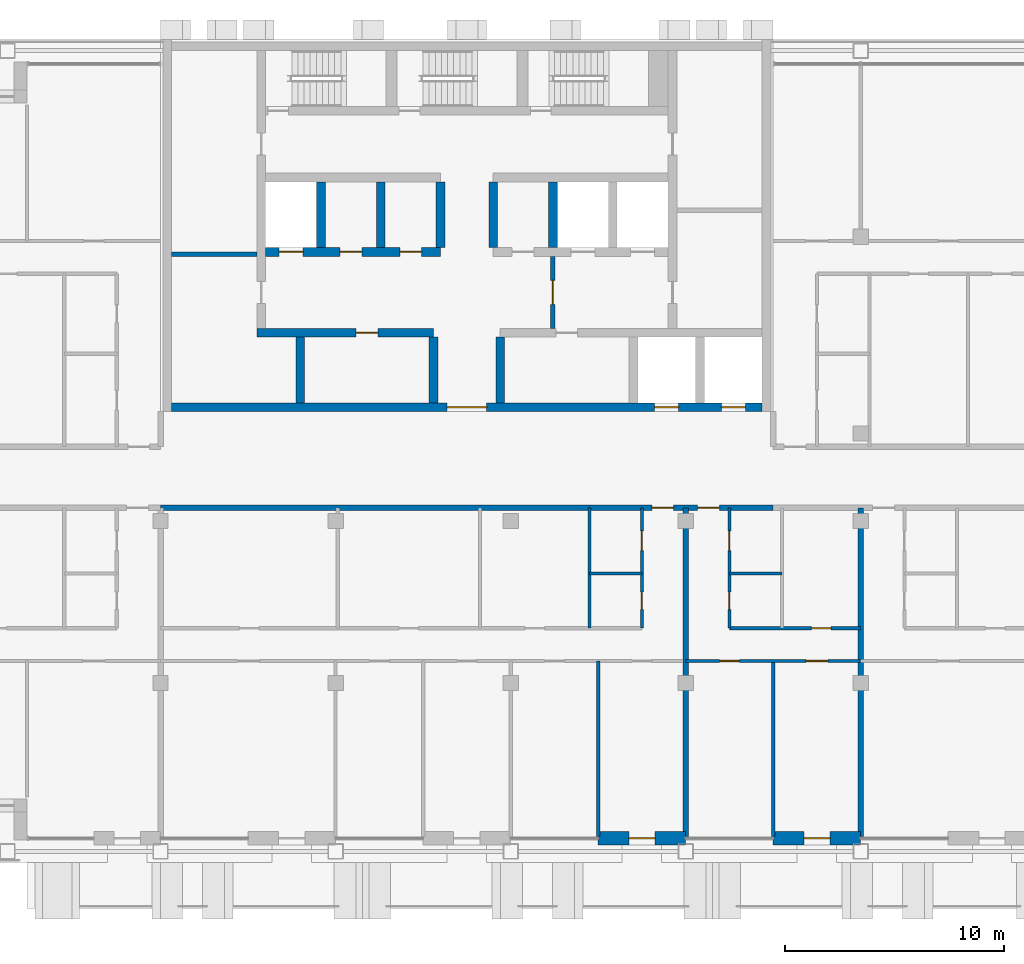
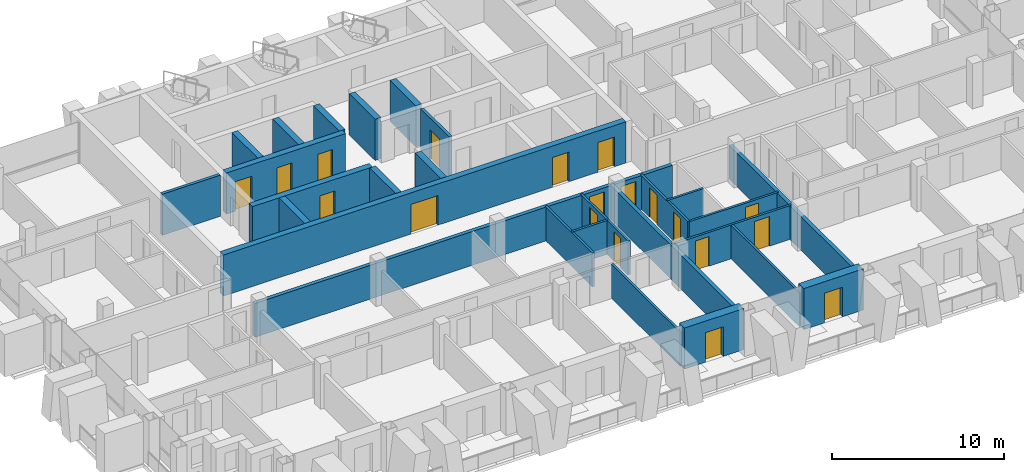
# One storey, part 9 of 16: 27 walls, 19 doors, 19 openings.
"""IFC4 building model written with IfcOpenShell, lengths in metres."""

from ifc_helpers import new_model, si_unit, direction, frame, frame_2d, origin, place, context, subcontext, project, spatial, rectangle, extrude, material, layer, layer_set, type_object, element, fill, save


model = new_model("IFC4")

# Units and contexts
model_context = context("Model", 3, precision=1e-05, world=origin(), true_north=direction((0.0, 1.0)))
body_context = subcontext(model_context, "Body", "Model", "MODEL_VIEW")
ifc_project = project(units=[si_unit("LENGTHUNIT", "METRE"), si_unit("AREAUNIT", "SQUARE_METRE"), si_unit("VOLUMEUNIT", "CUBIC_METRE"), si_unit("PLANEANGLEUNIT", "RADIAN"), si_unit("MASSUNIT", "GRAM", prefix="KILO")], contexts=[model_context])

# Site, building, storey
site_placement = place(None, origin())
site = spatial("IfcSite", under=ifc_project, at=site_placement, CompositionType="ELEMENT")
building_placement = place(site_placement, origin())
building = spatial("IfcBuilding", under=site, at=building_placement, Name="Vidyagriha Tower", CompositionType="ELEMENT")
storey_placement = place(building_placement, frame((0.0, 0.0, 184.5)))
storey = spatial("IfcBuildingStorey", under=building, at=storey_placement, Name="L48", CompositionType="ELEMENT", Elevation=184.5)

# Wall, opening, door
ifc_material_1 = material(Name="Precast concrete C40/50 with brick facing", Category="concrete")
ifc_layer_1 = layer(ifc_material_1, 0.60009765625)
ifc_layer_set_1 = layer_set([ifc_layer_1], Name="Precast concrete C40/50 with brick facing")
wall_type_1 = type_object("IfcWallType", Name="Brick-faced precast wall 600", PredefinedType="STANDARD", material=ifc_layer_set_1)
wall_1_placement = place(storey_placement, frame((6.0, -16.5, 0.0)))
wall_1 = element("IfcWall", 1, at=wall_1_placement, inside=storey, type_object=wall_type_1, Name="Brick door bay wall L48 R23.8", PredefinedType="STANDARD", context=body_context, shape_type="SweptSolid", body=[
    extrude(rectangle(XDim=4.0, YDim=0.60009765625, at=frame_2d((2.0, 0.0))), origin(), (0.0, 0.0, 1.0), 2.919921875),
])
opening_1_placement = place(wall_1_placement, frame((1.39990234375, 0.0, 0.0)))
opening_1 = element("IfcOpeningElement", 2, at=opening_1_placement, cuts=wall_1, Name="Opening D48-72", PredefinedType="OPENING", context=body_context, shape_type="SweptSolid", body=[
    extrude(rectangle(XDim=1.199951171875, YDim=2.10009765625, at=frame_2d((0.60009765625, 1.050048828125))), frame((0.0, 0.31005859375, 0.0), z_axis=(0.0, -1.0, 0.0), x_axis=(1.0, 0.0, 0.0)), (0.0, 0.0, 1.0), 0.6201171875),
])
ifc_material_2 = material(Name="Aluminium framed glazed sliding door", Category="aluminium")
door_type_1 = type_object("IfcDoorType", Name="Balcony sliding door 1200x2100", OperationType="NOTDEFINED", PredefinedType="DOOR", material=ifc_material_2)
door_1_placement = place(opening_1_placement, origin())
door_1 = element("IfcDoor", 3, at=door_1_placement, inside=storey, type_object=door_type_1, Name="Door D48-72", OperationType="SLIDING_TO_LEFT", OverallHeight=2.10009765625, OverallWidth=1.199951171875, PredefinedType="DOOR", context=body_context, shape_type="SweptSolid", body=[
    extrude(rectangle(XDim=1.199951171875, YDim=2.10009765625, at=frame_2d((0.60009765625, 1.050048828125))), frame((0.0, 0.02490234375, 0.0), z_axis=(0.0, -1.0, 0.0), x_axis=(1.0, 0.0, 0.0)), (0.0, 0.0, 1.0), 0.050048828125),
])
fill(opening_1, door_1)

wall_2_placement = place(storey_placement, frame((14.0, -16.5, 0.0)))
wall_2 = element("IfcWall", 4, at=wall_2_placement, inside=storey, type_object=wall_type_1, Name="Brick door bay wall L48 R23.10", PredefinedType="STANDARD", context=body_context, shape_type="SweptSolid", body=[
    extrude(rectangle(XDim=4.0, YDim=0.60009765625, at=frame_2d((2.0, 0.0))), origin(), (0.0, 0.0, 1.0), 2.919921875),
])
opening_2_placement = place(wall_2_placement, frame((1.39990234375, 0.0, 0.0)))
opening_2 = element("IfcOpeningElement", 5, at=opening_2_placement, cuts=wall_2, Name="Opening D48-73", PredefinedType="OPENING", context=body_context, shape_type="SweptSolid", body=[
    extrude(rectangle(XDim=1.199951171875, YDim=2.10009765625, at=frame_2d((0.60009765625, 1.050048828125))), frame((0.0, 0.31005859375, 0.0), z_axis=(0.0, -1.0, 0.0), x_axis=(1.0, 0.0, 0.0)), (0.0, 0.0, 1.0), 0.6201171875),
])
door_2_placement = place(opening_2_placement, origin())
door_2 = element("IfcDoor", 6, at=door_2_placement, inside=storey, type_object=door_type_1, Name="Door D48-73", OperationType="SLIDING_TO_LEFT", OverallHeight=2.10009765625, OverallWidth=1.199951171875, PredefinedType="DOOR", context=body_context, shape_type="SweptSolid", body=[
    extrude(rectangle(XDim=1.199951171875, YDim=2.10009765625, at=frame_2d((0.60009765625, 1.050048828125))), frame((0.0, 0.02490234375, 0.0), z_axis=(0.0, -1.0, 0.0), x_axis=(1.0, 0.0, 0.0)), (0.0, 0.0, 1.0), 0.050048828125),
])
fill(opening_2, door_2)

# Wall, openings, doors
ifc_material_3 = material(Name="Concrete C60/75", Category="concrete")
ifc_layer_2 = layer(ifc_material_3, 0.39990234375)
ifc_layer_set_2 = layer_set([ifc_layer_2], Name="Concrete C60/75")
wall_type_2 = type_object("IfcWallType", Name="Core shear wall 400 mm", PredefinedType="SHEAR", material=ifc_layer_set_2)
wall_3_placement = place(storey_placement, frame((-13.5, 3.199951171875, 0.0)))
wall_3 = element("IfcWall", 7, at=wall_3_placement, inside=storey, type_object=wall_type_2, Name="Core front wall", PredefinedType="SHEAR", context=body_context, shape_type="SweptSolid", body=[
    extrude(rectangle(XDim=27.0, YDim=0.39990234375, at=frame_2d((13.5, 0.0))), origin(), (0.0, 0.0, 1.0), 2.919921875),
])
opening_3_placement = place(wall_3_placement, frame((22.083251953125, 0.0, 0.0)))
opening_3 = element("IfcOpeningElement", 8, at=opening_3_placement, cuts=wall_3, Name="Opening LD48-01", PredefinedType="OPENING", context=body_context, shape_type="SweptSolid", body=[
    extrude(rectangle(XDim=1.10009765625, YDim=2.10009765625, at=frame_2d((0.550048828125, 1.050048828125))), frame((0.0, 0.2099609375, 0.0), z_axis=(0.0, -1.0, 0.0), x_axis=(1.0, 0.0, 0.0)), (0.0, 0.0, 1.0), 0.419921875),
])
opening_4_placement = place(wall_3_placement, frame((25.127685546875, 0.0, 0.0)))
opening_4 = element("IfcOpeningElement", 9, at=opening_4_placement, cuts=wall_3, Name="Opening LD48-02", PredefinedType="OPENING", context=body_context, shape_type="SweptSolid", body=[
    extrude(rectangle(XDim=1.10009765625, YDim=2.10009765625, at=frame_2d((0.550048828125, 1.050048828125))), frame((0.0, 0.2099609375, 0.0), z_axis=(0.0, -1.0, 0.0), x_axis=(1.0, 0.0, 0.0)), (0.0, 0.0, 1.0), 0.419921875),
])
opening_5_placement = place(wall_3_placement, frame((12.60009765625, 0.0, 0.0)))
opening_5 = element("IfcOpeningElement", 10, at=opening_5_placement, cuts=wall_3, Name="Opening D48-01", PredefinedType="OPENING", context=body_context, shape_type="SweptSolid", body=[
    extrude(rectangle(XDim=1.800048828125, YDim=2.10009765625, at=frame_2d((0.89990234375, 1.050048828125))), frame((0.0, 0.2099609375, 0.0), z_axis=(0.0, -1.0, 0.0), x_axis=(1.0, 0.0, 0.0)), (0.0, 0.0, 1.0), 0.419921875),
])
ifc_material_4 = material(Name="Hollow metal door leaf")
door_type_2 = type_object("IfcDoorType", Name="Core lobby double door 1800 x 2100 mm EI 60", OperationType="NOTDEFINED", PredefinedType="DOOR", material=ifc_material_4)
door_3_placement = place(opening_5_placement, frame((1.800048828125, 0.0, 0.0), z_axis=(0.0, 0.0, 1.0), x_axis=(-1.0, 0.0, 0.0)))
door_3 = element("IfcDoor", 11, at=door_3_placement, inside=storey, type_object=door_type_2, Name="Core entrance door L48", OperationType="DOUBLE_DOOR_SINGLE_SWING", OverallHeight=2.10009765625, OverallWidth=1.800048828125, PredefinedType="DOOR", context=body_context, shape_type="SweptSolid", body=[
    extrude(rectangle(XDim=1.800048828125, YDim=2.10009765625, at=frame_2d((0.89990234375, 1.050048828125))), frame((0.0, 0.02490234375, 0.0), z_axis=(0.0, -1.0, 0.0), x_axis=(1.0, 0.0, 0.0)), (0.0, 0.0, 1.0), 0.050048828125),
])
fill(opening_5, door_3)
ifc_material_5 = material(Name="Stainless steel sliding door panel", Category="steel")
door_type_3 = type_object("IfcDoorType", Name="Lift landing door 1100 x 2100 mm EI 90", OperationType="NOTDEFINED", PredefinedType="DOOR", material=ifc_material_5)
door_4_placement = place(opening_3_placement, origin())
door_4 = element("IfcDoor", 12, at=door_4_placement, inside=storey, type_object=door_type_3, Name="Landing door MR1 L48", OperationType="SLIDING_TO_LEFT", OverallHeight=2.10009765625, OverallWidth=1.10009765625, PredefinedType="DOOR", context=body_context, shape_type="SweptSolid", body=[
    extrude(rectangle(XDim=1.10009765625, YDim=2.10009765625, at=frame_2d((0.550048828125, 1.050048828125))), frame((0.0, 0.02490234375, 0.0), z_axis=(0.0, -1.0, 0.0), x_axis=(1.0, 0.0, 0.0)), (0.0, 0.0, 1.0), 0.050048828125),
])
fill(opening_3, door_4)
door_5_placement = place(opening_4_placement, origin())
door_5 = element("IfcDoor", 13, at=door_5_placement, inside=storey, type_object=door_type_3, Name="Landing door MR2 L48", OperationType="SLIDING_TO_LEFT", OverallHeight=2.10009765625, OverallWidth=1.10009765625, PredefinedType="DOOR", context=body_context, shape_type="SweptSolid", body=[
    extrude(rectangle(XDim=1.10009765625, YDim=2.10009765625, at=frame_2d((0.550048828125, 1.050048828125))), frame((0.0, 0.02490234375, 0.0), z_axis=(0.0, -1.0, 0.0), x_axis=(1.0, 0.0, 0.0)), (0.0, 0.0, 1.0), 0.050048828125),
])
fill(opening_4, door_5)

# Wall, opening, door
wall_4_placement = place(storey_placement, frame((-9.60009765625, 6.60009765625, 0.0)))
wall_4 = element("IfcWall", 14, at=wall_4_placement, inside=storey, type_object=wall_type_2, Name="Core lobby south wall west", PredefinedType="SHEAR", context=body_context, shape_type="SweptSolid", body=[
    extrude(rectangle(XDim=8.077880859375, YDim=0.39990234375, at=frame_2d((4.0390625, 0.0))), origin(), (0.0, 0.0, 1.0), 2.919921875),
])
opening_6_placement = place(wall_4_placement, frame((4.533203125, 0.0, 0.0)))
opening_6 = element("IfcOpeningElement", 15, at=opening_6_placement, cuts=wall_4, Name="Opening D48-02", PredefinedType="OPENING", context=body_context, shape_type="SweptSolid", body=[
    extrude(rectangle(XDim=1.0, YDim=2.10009765625, at=frame_2d((0.5, 1.050048828125))), frame((0.0, 0.2099609375, 0.0), z_axis=(0.0, -1.0, 0.0), x_axis=(1.0, 0.0, 0.0)), (0.0, 0.0, 1.0), 0.419921875),
])
ifc_material_6 = material(Name="Hollow metal door leaf")
door_type_4 = type_object("IfcDoorType", Name="Core room door 1000 x 2100 mm EI 60", OperationType="NOTDEFINED", PredefinedType="DOOR", material=ifc_material_6)
door_6_placement = place(opening_6_placement, origin())
door_6 = element("IfcDoor", 16, at=door_6_placement, inside=storey, type_object=door_type_4, Name="Door Pressurisation Plant Room 48.01", OperationType="SINGLE_SWING_RIGHT", OverallHeight=2.10009765625, OverallWidth=1.0, PredefinedType="DOOR", context=body_context, shape_type="SweptSolid", body=[
    extrude(rectangle(XDim=1.0, YDim=2.10009765625, at=frame_2d((0.5, 1.050048828125))), frame((0.0, 0.02490234375, 0.0), z_axis=(0.0, -1.0, 0.0), x_axis=(1.0, 0.0, 0.0)), (0.0, 0.0, 1.0), 0.050048828125),
])
fill(opening_6, door_6)

# Walls
for number, where, z_axis, x_axis, name in (
    (17, (-7.611083984375, 3.39990234375, 0.0), (0.0, 0.0, 1.0), (0.0, 1.0, 0.0), "Core bay wall S2"),
    (18, (-1.522216796875, 3.39990234375, 0.0), (0.0, 0.0, 1.0), (0.0, 1.0, 0.0), "Core bay wall S4"),
    (19, (1.522216796875, 3.39990234375, 0.0), (0.0, 0.0, 1.0), (0.0, 1.0, 0.0), "Core bay wall S5"),
):
    element("IfcWall", number, at=place(storey_placement, frame(where, z_axis=z_axis, x_axis=x_axis)), inside=storey, type_object=wall_type_2, Name=name, PredefinedType="SHEAR", context=body_context, shape_type="SweptSolid", body=[
        extrude(rectangle(XDim=3.0, YDim=0.39990234375, at=frame_2d((1.5, 0.0))), origin(), (0.0, 0.0, 1.0), 2.919921875),
    ])

# Wall, openings, doors
wall_5_placement = place(storey_placement, frame((-9.199951171875, 10.300048828125, 0.0)))
wall_5 = element("IfcWall", 20, at=wall_5_placement, inside=storey, type_object=wall_type_2, Name="Core row N front wall", PredefinedType="SHEAR", context=body_context, shape_type="SweptSolid", body=[
    extrude(rectangle(XDim=8.0, YDim=0.39990234375, at=frame_2d((4.0, 0.0))), origin(), (0.0, 0.0, 1.0), 2.919921875),
])
opening_7_placement = place(wall_5_placement, frame((0.61669921875, 0.0, 0.0)))
opening_7 = element("IfcOpeningElement", 21, at=opening_7_placement, cuts=wall_5, Name="Opening LD48-03", PredefinedType="OPENING", context=body_context, shape_type="SweptSolid", body=[
    extrude(rectangle(XDim=1.10009765625, YDim=2.10009765625, at=frame_2d((0.550048828125, 1.050048828125))), frame((0.0, 0.2099609375, 0.0), z_axis=(0.0, -1.0, 0.0), x_axis=(1.0, 0.0, 0.0)), (0.0, 0.0, 1.0), 0.419921875),
])
opening_8_placement = place(wall_5_placement, frame((3.39990234375, 0.0, 0.0)))
opening_8 = element("IfcOpeningElement", 22, at=opening_8_placement, cuts=wall_5, Name="Opening D48-04", PredefinedType="OPENING", context=body_context, shape_type="SweptSolid", body=[
    extrude(rectangle(XDim=1.0, YDim=2.10009765625, at=frame_2d((0.5, 1.050048828125))), frame((0.0, 0.2099609375, 0.0), z_axis=(0.0, -1.0, 0.0), x_axis=(1.0, 0.0, 0.0)), (0.0, 0.0, 1.0), 0.419921875),
])
opening_9_placement = place(wall_5_placement, frame((6.13330078125, 0.0, 0.0)))
opening_9 = element("IfcOpeningElement", 23, at=opening_9_placement, cuts=wall_5, Name="Opening D48-05", PredefinedType="OPENING", context=body_context, shape_type="SweptSolid", body=[
    extrude(rectangle(XDim=1.0, YDim=2.10009765625, at=frame_2d((0.5, 1.050048828125))), frame((0.0, 0.2099609375, 0.0), z_axis=(0.0, -1.0, 0.0), x_axis=(1.0, 0.0, 0.0)), (0.0, 0.0, 1.0), 0.419921875),
])
door_7_placement = place(opening_8_placement, frame((1.0, 0.0, 0.0), z_axis=(0.0, 0.0, 1.0), x_axis=(-1.0, 0.0, 0.0)))
door_7 = element("IfcDoor", 24, at=door_7_placement, inside=storey, type_object=door_type_4, Name="Door Cleaners Store 48.14", OperationType="SINGLE_SWING_RIGHT", OverallHeight=2.10009765625, OverallWidth=1.0, PredefinedType="DOOR", context=body_context, shape_type="SweptSolid", body=[
    extrude(rectangle(XDim=1.0, YDim=2.10009765625, at=frame_2d((0.5, 1.050048828125))), frame((0.0, 0.02490234375, 0.0), z_axis=(0.0, -1.0, 0.0), x_axis=(1.0, 0.0, 0.0)), (0.0, 0.0, 1.0), 0.050048828125),
])
fill(opening_8, door_7)
door_8_placement = place(opening_9_placement, frame((1.0, 0.0, 0.0), z_axis=(0.0, 0.0, 1.0), x_axis=(-1.0, 0.0, 0.0)))
door_8 = element("IfcDoor", 25, at=door_8_placement, inside=storey, type_object=door_type_4, Name="Door Riser Room 48.15", OperationType="SINGLE_SWING_LEFT", OverallHeight=2.10009765625, OverallWidth=1.0, PredefinedType="DOOR", context=body_context, shape_type="SweptSolid", body=[
    extrude(rectangle(XDim=1.0, YDim=2.10009765625, at=frame_2d((0.5, 1.050048828125))), frame((0.0, 0.02490234375, 0.0), z_axis=(0.0, -1.0, 0.0), x_axis=(1.0, 0.0, 0.0)), (0.0, 0.0, 1.0), 0.050048828125),
])
fill(opening_9, door_8)
door_9_placement = place(opening_7_placement, origin())
door_9 = element("IfcDoor", 26, at=door_9_placement, inside=storey, type_object=door_type_3, Name="Landing door MR3 L48", OperationType="SLIDING_TO_LEFT", OverallHeight=2.10009765625, OverallWidth=1.10009765625, PredefinedType="DOOR", context=body_context, shape_type="SweptSolid", body=[
    extrude(rectangle(XDim=1.10009765625, YDim=2.10009765625, at=frame_2d((0.550048828125, 1.050048828125))), frame((0.0, 0.02490234375, 0.0), z_axis=(0.0, -1.0, 0.0), x_axis=(1.0, 0.0, 0.0)), (0.0, 0.0, 1.0), 0.050048828125),
])
fill(opening_7, door_9)

# Walls
for number, where, z_axis, x_axis, name in (
    (27, (-6.666748046875, 10.5, 0.0), (0.0, 0.0, 1.0), (0.0, 1.0, 0.0), "Core bay wall N1"),
    (28, (-3.933349609375, 10.5, 0.0), (0.0, 0.0, 1.0), (0.0, 1.0, 0.0), "Core bay wall N2"),
    (29, (-1.199951171875, 10.5, 0.0), (0.0, 0.0, 1.0), (0.0, 1.0, 0.0), "Core bay wall N3"),
    (30, (1.199951171875, 10.5, 0.0), (0.0, 0.0, 1.0), (0.0, 1.0, 0.0), "Core bay wall N4"),
    (31, (3.933349609375, 10.5, 0.0), (0.0, 0.0, 1.0), (0.0, 1.0, 0.0), "Core bay wall N5"),
):
    element("IfcWall", number, at=place(storey_placement, frame(where, z_axis=z_axis, x_axis=x_axis)), inside=storey, type_object=wall_type_2, Name=name, PredefinedType="SHEAR", context=body_context, shape_type="SweptSolid", body=[
        extrude(rectangle(XDim=3.0, YDim=0.39990234375, at=frame_2d((1.5, 0.0))), origin(), (0.0, 0.0, 1.0), 2.919921875),
    ])

# Wall, openings, doors
ifc_material_7 = material(Name="Fired clay brick masonry", Category="masonry")
ifc_layer_3 = layer(ifc_material_7, 0.25)
ifc_layer_set_3 = layer_set([ifc_layer_3], Name="Fired clay brick masonry")
wall_type_3 = type_object("IfcWallType", Name="Fired clay brick corridor wall 250", PredefinedType="PARTITIONING", material=ifc_layer_set_3)
wall_6_placement = place(storey_placement, frame((14.0, -1.39990234375, 0.0), z_axis=(0.0, 0.0, 1.0), x_axis=(-1.0, 0.0, 0.0)))
wall_6 = element("IfcWall", 32, at=wall_6_placement, inside=storey, type_object=wall_type_3, Name="Wall all-L48-w115", PredefinedType="PARTITIONING", context=body_context, shape_type="SweptSolid", body=[
    extrude(rectangle(XDim=28.0, YDim=0.25, at=frame_2d((14.0, 0.0))), origin(), (0.0, 0.0, 1.0), 2.39990234375),
])
opening_10_placement = place(wall_6_placement, frame((4.547119140625, 0.0, 0.0)))
opening_10 = element("IfcOpeningElement", 33, at=opening_10_placement, cuts=wall_6, Name="Opening D48-31", PredefinedType="OPENING", context=body_context, shape_type="SweptSolid", body=[
    extrude(rectangle(XDim=1.0, YDim=2.10009765625, at=frame_2d((0.5, 1.050048828125))), frame((0.0, 0.135009765625, 0.0), z_axis=(0.0, -1.0, 0.0), x_axis=(1.0, 0.0, 0.0)), (0.0, 0.0, 1.0), 0.27001953125),
])
opening_11_placement = place(wall_6_placement, frame((2.452880859375, 0.0, 0.0)))
opening_11 = element("IfcOpeningElement", 34, at=opening_11_placement, cuts=wall_6, Name="Opening D48-37", PredefinedType="OPENING", context=body_context, shape_type="SweptSolid", body=[
    extrude(rectangle(XDim=1.0, YDim=2.10009765625, at=frame_2d((0.5, 1.050048828125))), frame((0.0, 0.135009765625, 0.0), z_axis=(0.0, -1.0, 0.0), x_axis=(1.0, 0.0, 0.0)), (0.0, 0.0, 1.0), 0.27001953125),
])
ifc_material_8 = material(Name="Fire-rated timber door leaf EI 60", Category="wood")
door_type_5 = type_object("IfcDoorType", Name="Flat entrance fire door 1000x2100", OperationType="NOTDEFINED", PredefinedType="DOOR", material=ifc_material_8)
door_10_placement = place(opening_10_placement, origin())
door_10 = element("IfcDoor", 35, at=door_10_placement, inside=storey, type_object=door_type_5, Name="Door D48-31", OperationType="SINGLE_SWING_LEFT", OverallHeight=2.10009765625, OverallWidth=1.0, PredefinedType="DOOR", context=body_context, shape_type="SweptSolid", body=[
    extrude(rectangle(XDim=1.0, YDim=2.10009765625, at=frame_2d((0.5, 1.050048828125))), frame((0.0, 0.02490234375, 0.0), z_axis=(0.0, -1.0, 0.0), x_axis=(1.0, 0.0, 0.0)), (0.0, 0.0, 1.0), 0.050048828125),
])
fill(opening_10, door_10)
door_11_placement = place(opening_11_placement, origin())
door_11 = element("IfcDoor", 36, at=door_11_placement, inside=storey, type_object=door_type_5, Name="Door D48-37", OperationType="SINGLE_SWING_RIGHT", OverallHeight=2.10009765625, OverallWidth=1.0, PredefinedType="DOOR", context=body_context, shape_type="SweptSolid", body=[
    extrude(rectangle(XDim=1.0, YDim=2.10009765625, at=frame_2d((0.5, 1.050048828125))), frame((0.0, 0.02490234375, 0.0), z_axis=(0.0, -1.0, 0.0), x_axis=(1.0, 0.0, 0.0)), (0.0, 0.0, 1.0), 0.050048828125),
])
fill(opening_11, door_11)

# Walls
ifc_material_9 = material(Name="Fired clay brick masonry", Category="masonry")
ifc_layer_4 = layer(ifc_material_9, 0.25)
ifc_layer_set_4 = layer_set([ifc_layer_4], Name="Fired clay brick masonry")
wall_type_4 = type_object("IfcWallType", Name="Fired clay brick demising wall 250", PredefinedType="PARTITIONING", material=ifc_layer_set_4)
for number, where, z_axis, x_axis, name in (
    (37, (10.0, -1.39990234375, 0.0), (0.0, 0.0, 1.0), (0.0, -1.0, 0.0), "Wall all-L48-w048"),
    (38, (18.0, -1.39990234375, 0.0), (0.0, 0.0, 1.0), (0.0, -1.0, 0.0), "Wall all-L48-w067"),
):
    element("IfcWall", number, at=place(storey_placement, frame(where, z_axis=z_axis, x_axis=x_axis)), inside=storey, type_object=wall_type_4, Name=name, PredefinedType="PARTITIONING", context=body_context, shape_type="SweptSolid", body=[
        extrude(rectangle(XDim=15.010009765625, YDim=0.25, at=frame_2d((7.5048828125, 0.0))), origin(), (0.0, 0.0, 1.0), 2.39990234375),
    ])
ifc_material_10 = material(Name="Gypsum board partition")
ifc_layer_5 = layer(ifc_material_10, 0.14990234375)
ifc_layer_set_5 = layer_set([ifc_layer_5], Name="Gypsum board partition")
wall_type_5 = type_object("IfcWallType", Name="Gypsum board partition 150", PredefinedType="PARTITIONING", material=ifc_layer_set_5)
wall_7_placement = place(storey_placement, frame((8.0, -4.39990234375, 0.0), z_axis=(0.0, 0.0, 1.0), x_axis=(-1.0, 0.0, 0.0)))
element("IfcWall", 39, at=wall_7_placement, inside=storey, type_object=wall_type_5, Name="Wall all-L48-w016", PredefinedType="PARTITIONING", context=body_context, shape_type="SweptSolid", body=[
    extrude(rectangle(XDim=2.39990234375, YDim=0.14990234375, at=frame_2d((1.199951171875, 0.0))), origin(), (0.0, 0.0, 1.0), 2.39990234375),
])
wall_8_placement = place(storey_placement, frame((5.60009765625, -6.89990234375, 0.0), z_axis=(0.0, 0.0, 1.0), x_axis=(0.0, 1.0, 0.0)))
element("IfcWall", 40, at=wall_8_placement, inside=storey, type_object=wall_type_5, Name="Wall all-L48-w017", PredefinedType="PARTITIONING", context=body_context, shape_type="SweptSolid", body=[
    extrude(rectangle(XDim=5.5, YDim=0.14990234375, at=frame_2d((2.75, 0.0))), origin(), (0.0, 0.0, 1.0), 2.39990234375),
])
wall_9_placement = place(storey_placement, frame((6.0, -8.39990234375, 0.0), z_axis=(0.0, 0.0, 1.0), x_axis=(0.0, -1.0, 0.0)))
element("IfcWall", 41, at=wall_9_placement, inside=storey, type_object=wall_type_5, Name="Wall all-L48-w033", PredefinedType="PARTITIONING", context=body_context, shape_type="SweptSolid", body=[
    extrude(rectangle(XDim=8.02099609375, YDim=0.14990234375, at=frame_2d((4.010498046875, 0.0))), origin(), (0.0, 0.0, 1.0), 2.39990234375),
])
wall_10_placement = place(storey_placement, frame((14.39990234375, -4.39990234375, 0.0), z_axis=(0.0, 0.0, 1.0), x_axis=(-1.0, 0.0, 0.0)))
element("IfcWall", 42, at=wall_10_placement, inside=storey, type_object=wall_type_5, Name="Wall all-L48-w039", PredefinedType="PARTITIONING", context=body_context, shape_type="SweptSolid", body=[
    extrude(rectangle(XDim=2.39990234375, YDim=0.14990234375, at=frame_2d((1.199951171875, 0.0))), origin(), (0.0, 0.0, 1.0), 2.39990234375),
])

# Wall, opening, door
wall_11_placement = place(storey_placement, frame((12.0, -6.89990234375, 0.0)))
wall_11 = element("IfcWall", 43, at=wall_11_placement, inside=storey, type_object=wall_type_5, Name="Wall all-L48-w041", PredefinedType="PARTITIONING", context=body_context, shape_type="SweptSolid", body=[
    extrude(rectangle(XDim=6.0, YDim=0.14990234375, at=frame_2d((3.0, 0.0))), origin(), (0.0, 0.0, 1.0), 2.39990234375),
])
opening_12_placement = place(wall_11_placement, frame((3.75, 0.0, 0.0)))
opening_12 = element("IfcOpeningElement", 44, at=opening_12_placement, cuts=wall_11, Name="Opening D48-34", PredefinedType="OPENING", context=body_context, shape_type="SweptSolid", body=[
    extrude(rectangle(XDim=0.89990234375, YDim=2.10009765625, at=frame_2d((0.449951171875, 1.050048828125))), frame((0.0, 0.0849609375, 0.0), z_axis=(0.0, -1.0, 0.0), x_axis=(1.0, 0.0, 0.0)), (0.0, 0.0, 1.0), 0.169921875),
])
ifc_material_11 = material(Name="Timber door leaf", Category="wood")
door_type_6 = type_object("IfcDoorType", Name="Room door 900x2100", OperationType="NOTDEFINED", PredefinedType="DOOR", material=ifc_material_11)
door_12_placement = place(opening_12_placement, origin())
door_12 = element("IfcDoor", 45, at=door_12_placement, inside=storey, type_object=door_type_6, Name="Door D48-34", OperationType="SINGLE_SWING_LEFT", OverallHeight=2.10009765625, OverallWidth=0.89990234375, PredefinedType="DOOR", context=body_context, shape_type="SweptSolid", body=[
    extrude(rectangle(XDim=0.89990234375, YDim=2.10009765625, at=frame_2d((0.449951171875, 1.050048828125))), frame((0.0, 0.02490234375, 0.0), z_axis=(0.0, -1.0, 0.0), x_axis=(1.0, 0.0, 0.0)), (0.0, 0.0, 1.0), 0.050048828125),
])
fill(opening_12, door_12)

# Wall, openings, doors
wall_12_placement = place(storey_placement, frame((18.0, -8.39990234375, 0.0), z_axis=(0.0, 0.0, 1.0), x_axis=(-1.0, 0.0, 0.0)))
wall_12 = element("IfcWall", 46, at=wall_12_placement, inside=storey, type_object=wall_type_5, Name="Wall all-L48-w043", PredefinedType="PARTITIONING", context=body_context, shape_type="SweptSolid", body=[
    extrude(rectangle(XDim=8.0, YDim=0.14990234375, at=frame_2d((4.0, 0.0))), origin(), (0.0, 0.0, 1.0), 2.39990234375),
])
opening_13_placement = place(wall_12_placement, frame((5.550048828125, 0.0, 0.0)))
opening_13 = element("IfcOpeningElement", 47, at=opening_13_placement, cuts=wall_12, Name="Opening D48-35", PredefinedType="OPENING", context=body_context, shape_type="SweptSolid", body=[
    extrude(rectangle(XDim=0.89990234375, YDim=2.10009765625, at=frame_2d((0.449951171875, 1.050048828125))), frame((0.0, 0.0849609375, 0.0), z_axis=(0.0, -1.0, 0.0), x_axis=(1.0, 0.0, 0.0)), (0.0, 0.0, 1.0), 0.169921875),
])
opening_14_placement = place(wall_12_placement, frame((1.5, 0.0, 0.0)))
opening_14 = element("IfcOpeningElement", 48, at=opening_14_placement, cuts=wall_12, Name="Opening D48-36", PredefinedType="OPENING", context=body_context, shape_type="SweptSolid", body=[
    extrude(rectangle(XDim=1.0, YDim=2.10009765625, at=frame_2d((0.5, 1.050048828125))), frame((0.0, 0.0849609375, 0.0), z_axis=(0.0, -1.0, 0.0), x_axis=(1.0, 0.0, 0.0)), (0.0, 0.0, 1.0), 0.169921875),
])
ifc_material_12 = material(Name="Timber door leaf", Category="wood")
door_type_7 = type_object("IfcDoorType", Name="Room door 1000x2100", OperationType="NOTDEFINED", PredefinedType="DOOR", material=ifc_material_12)
door_13_placement = place(opening_14_placement, origin())
door_13 = element("IfcDoor", 49, at=door_13_placement, inside=storey, type_object=door_type_7, Name="Door D48-36", OperationType="SINGLE_SWING_RIGHT", OverallHeight=2.10009765625, OverallWidth=1.0, PredefinedType="DOOR", context=body_context, shape_type="SweptSolid", body=[
    extrude(rectangle(XDim=1.0, YDim=2.10009765625, at=frame_2d((0.5, 1.050048828125))), frame((0.0, 0.02490234375, 0.0), z_axis=(0.0, -1.0, 0.0), x_axis=(1.0, 0.0, 0.0)), (0.0, 0.0, 1.0), 0.050048828125),
])
fill(opening_14, door_13)
door_14_placement = place(opening_13_placement, origin())
door_14 = element("IfcDoor", 50, at=door_14_placement, inside=storey, type_object=door_type_6, Name="Door D48-35", OperationType="SINGLE_SWING_RIGHT", OverallHeight=2.10009765625, OverallWidth=0.89990234375, PredefinedType="DOOR", context=body_context, shape_type="SweptSolid", body=[
    extrude(rectangle(XDim=0.89990234375, YDim=2.10009765625, at=frame_2d((0.449951171875, 1.050048828125))), frame((0.0, 0.02490234375, 0.0), z_axis=(0.0, -1.0, 0.0), x_axis=(1.0, 0.0, 0.0)), (0.0, 0.0, 1.0), 0.050048828125),
])
fill(opening_13, door_14)

# Wall
wall_13_placement = place(storey_placement, frame((14.0, -8.39990234375, 0.0), z_axis=(0.0, 0.0, 1.0), x_axis=(0.0, -1.0, 0.0)))
element("IfcWall", 51, at=wall_13_placement, inside=storey, type_object=wall_type_5, Name="Wall all-L48-w046", PredefinedType="PARTITIONING", context=body_context, shape_type="SweptSolid", body=[
    extrude(rectangle(XDim=8.02099609375, YDim=0.14990234375, at=frame_2d((4.010498046875, 0.0))), origin(), (0.0, 0.0, 1.0), 2.39990234375),
])

# Wall, openings, doors
ifc_material_13 = material(Name="Moisture resistant gypsum board partition")
ifc_layer_6 = layer(ifc_material_13, 0.14990234375)
ifc_layer_set_6 = layer_set([ifc_layer_6], Name="Moisture resistant gypsum board partition")
wall_type_6 = type_object("IfcWallType", Name="Gypsum board wet-area partition 150", PredefinedType="PARTITIONING", material=ifc_layer_set_6)
wall_14_placement = place(storey_placement, frame((8.0, -6.89990234375, 0.0), z_axis=(0.0, 0.0, 1.0), x_axis=(0.0, 1.0, 0.0)))
wall_14 = element("IfcWall", 52, at=wall_14_placement, inside=storey, type_object=wall_type_6, Name="Wall all-L48-w013", PredefinedType="PARTITIONING", context=body_context, shape_type="SweptSolid", body=[
    extrude(rectangle(XDim=5.5, YDim=0.14990234375, at=frame_2d((2.75, 0.0))), origin(), (0.0, 0.0, 1.0), 2.39990234375),
])
opening_15_placement = place(wall_14_placement, frame((3.550048828125, 0.0, 0.0)))
opening_15 = element("IfcOpeningElement", 53, at=opening_15_placement, cuts=wall_14, Name="Opening D48-21", PredefinedType="OPENING", context=body_context, shape_type="SweptSolid", body=[
    extrude(rectangle(XDim=0.89990234375, YDim=2.10009765625, at=frame_2d((0.449951171875, 1.050048828125))), frame((0.0, 0.0849609375, 0.0), z_axis=(0.0, -1.0, 0.0), x_axis=(1.0, 0.0, 0.0)), (0.0, 0.0, 1.0), 0.169921875),
])
opening_16_placement = place(wall_14_placement, frame((0.85009765625, 0.0, 0.0)))
opening_16 = element("IfcOpeningElement", 54, at=opening_16_placement, cuts=wall_14, Name="Opening D48-22", PredefinedType="OPENING", context=body_context, shape_type="SweptSolid", body=[
    extrude(rectangle(XDim=0.800048828125, YDim=2.10009765625, at=frame_2d((0.39990234375, 1.050048828125))), frame((0.0, 0.0849609375, 0.0), z_axis=(0.0, -1.0, 0.0), x_axis=(1.0, 0.0, 0.0)), (0.0, 0.0, 1.0), 0.169921875),
])
ifc_material_14 = material(Name="Timber door leaf", Category="wood")
door_type_8 = type_object("IfcDoorType", Name="Bathroom door 800x2100", OperationType="NOTDEFINED", PredefinedType="DOOR", material=ifc_material_14)
door_15_placement = place(opening_16_placement, origin())
door_15 = element("IfcDoor", 55, at=door_15_placement, inside=storey, type_object=door_type_8, Name="Door D48-22", OperationType="SINGLE_SWING_RIGHT", OverallHeight=2.10009765625, OverallWidth=0.800048828125, PredefinedType="DOOR", context=body_context, shape_type="SweptSolid", body=[
    extrude(rectangle(XDim=0.800048828125, YDim=2.10009765625, at=frame_2d((0.39990234375, 1.050048828125))), frame((0.0, 0.02490234375, 0.0), z_axis=(0.0, -1.0, 0.0), x_axis=(1.0, 0.0, 0.0)), (0.0, 0.0, 1.0), 0.050048828125),
])
fill(opening_16, door_15)
ifc_material_15 = material(Name="Timber door leaf", Category="wood")
door_type_9 = type_object("IfcDoorType", Name="Kitchen door 900x2100", OperationType="NOTDEFINED", PredefinedType="DOOR", material=ifc_material_15)
door_16_placement = place(opening_15_placement, origin())
door_16 = element("IfcDoor", 56, at=door_16_placement, inside=storey, type_object=door_type_9, Name="Door D48-21", OperationType="SINGLE_SWING_LEFT", OverallHeight=2.10009765625, OverallWidth=0.89990234375, PredefinedType="DOOR", context=body_context, shape_type="SweptSolid", body=[
    extrude(rectangle(XDim=0.89990234375, YDim=2.10009765625, at=frame_2d((0.449951171875, 1.050048828125))), frame((0.0, 0.02490234375, 0.0), z_axis=(0.0, -1.0, 0.0), x_axis=(1.0, 0.0, 0.0)), (0.0, 0.0, 1.0), 0.050048828125),
])
fill(opening_15, door_16)

wall_15_placement = place(storey_placement, frame((12.0, -1.39990234375, 0.0), z_axis=(0.0, 0.0, 1.0), x_axis=(0.0, -1.0, 0.0)))
wall_15 = element("IfcWall", 57, at=wall_15_placement, inside=storey, type_object=wall_type_6, Name="Wall all-L48-w036", PredefinedType="PARTITIONING", context=body_context, shape_type="SweptSolid", body=[
    extrude(rectangle(XDim=5.5, YDim=0.14990234375, at=frame_2d((2.75, 0.0))), origin(), (0.0, 0.0, 1.0), 2.39990234375),
])
opening_17_placement = place(wall_15_placement, frame((1.050048828125, 0.0, 0.0)))
opening_17 = element("IfcOpeningElement", 58, at=opening_17_placement, cuts=wall_15, Name="Opening D48-32", PredefinedType="OPENING", context=body_context, shape_type="SweptSolid", body=[
    extrude(rectangle(XDim=0.89990234375, YDim=2.10009765625, at=frame_2d((0.449951171875, 1.050048828125))), frame((0.0, 0.0849609375, 0.0), z_axis=(0.0, -1.0, 0.0), x_axis=(1.0, 0.0, 0.0)), (0.0, 0.0, 1.0), 0.169921875),
])
opening_18_placement = place(wall_15_placement, frame((3.85009765625, 0.0, 0.0)))
opening_18 = element("IfcOpeningElement", 59, at=opening_18_placement, cuts=wall_15, Name="Opening D48-33", PredefinedType="OPENING", context=body_context, shape_type="SweptSolid", body=[
    extrude(rectangle(XDim=0.800048828125, YDim=2.10009765625, at=frame_2d((0.39990234375, 1.050048828125))), frame((0.0, 0.0849609375, 0.0), z_axis=(0.0, -1.0, 0.0), x_axis=(1.0, 0.0, 0.0)), (0.0, 0.0, 1.0), 0.169921875),
])
door_17_placement = place(opening_18_placement, origin())
door_17 = element("IfcDoor", 60, at=door_17_placement, inside=storey, type_object=door_type_8, Name="Door D48-33", OperationType="SINGLE_SWING_RIGHT", OverallHeight=2.10009765625, OverallWidth=0.800048828125, PredefinedType="DOOR", context=body_context, shape_type="SweptSolid", body=[
    extrude(rectangle(XDim=0.800048828125, YDim=2.10009765625, at=frame_2d((0.39990234375, 1.050048828125))), frame((0.0, 0.02490234375, 0.0), z_axis=(0.0, -1.0, 0.0), x_axis=(1.0, 0.0, 0.0)), (0.0, 0.0, 1.0), 0.050048828125),
])
fill(opening_18, door_17)
door_18_placement = place(opening_17_placement, origin())
door_18 = element("IfcDoor", 61, at=door_18_placement, inside=storey, type_object=door_type_9, Name="Door D48-32", OperationType="SINGLE_SWING_LEFT", OverallHeight=2.10009765625, OverallWidth=0.89990234375, PredefinedType="DOOR", context=body_context, shape_type="SweptSolid", body=[
    extrude(rectangle(XDim=0.89990234375, YDim=2.10009765625, at=frame_2d((0.449951171875, 1.050048828125))), frame((0.0, 0.02490234375, 0.0), z_axis=(0.0, -1.0, 0.0), x_axis=(1.0, 0.0, 0.0)), (0.0, 0.0, 1.0), 0.050048828125),
])
fill(opening_17, door_18)

# Wall, opening, door
ifc_material_16 = material(Name="Blockwork 15 MPa", Category="masonry")
ifc_layer_7 = layer(ifc_material_16, 0.199951171875)
ifc_layer_set_7 = layer_set([ifc_layer_7], Name="Blockwork 15 MPa")
wall_type_7 = type_object("IfcWallType", Name="Service room partition 200 mm", PredefinedType="PARTITIONING", material=ifc_layer_set_7)
wall_16_placement = place(storey_placement, frame((3.933349609375, 6.800048828125, 0.0), z_axis=(0.0, 0.0, 1.0), x_axis=(0.0, 1.0, 0.0)))
wall_16 = element("IfcWall", 62, at=wall_16_placement, inside=storey, type_object=wall_type_7, Name="Fire-fighting lobby west wall", PredefinedType="PARTITIONING", context=body_context, shape_type="SweptSolid", body=[
    extrude(rectangle(XDim=3.300048828125, YDim=0.199951171875, at=frame_2d((1.64990234375, 0.0))), origin(), (0.0, 0.0, 1.0), 2.919921875),
])
opening_19_placement = place(wall_16_placement, frame((1.10009765625, 0.0, 0.0)))
opening_19 = element("IfcOpeningElement", 63, at=opening_19_placement, cuts=wall_16, Name="Opening D48-07", PredefinedType="OPENING", context=body_context, shape_type="SweptSolid", body=[
    extrude(rectangle(XDim=1.10009765625, YDim=2.10009765625, at=frame_2d((0.550048828125, 1.050048828125))), frame((0.0, 0.10986328125, 0.0), z_axis=(0.0, -1.0, 0.0), x_axis=(1.0, 0.0, 0.0)), (0.0, 0.0, 1.0), 0.219970703125),
])
ifc_material_17 = material(Name="Hollow metal door leaf")
door_type_10 = type_object("IfcDoorType", Name="Fire-fighting lobby door 1100 x 2100 mm EI 90", OperationType="NOTDEFINED", PredefinedType="DOOR", material=ifc_material_17)
door_19_placement = place(opening_19_placement, origin())
door_19 = element("IfcDoor", 64, at=door_19_placement, inside=storey, type_object=door_type_10, Name="Fire-fighting lobby door L48", OperationType="SINGLE_SWING_RIGHT", OverallHeight=2.10009765625, OverallWidth=1.10009765625, PredefinedType="DOOR", context=body_context, shape_type="SweptSolid", body=[
    extrude(rectangle(XDim=1.10009765625, YDim=2.10009765625, at=frame_2d((0.550048828125, 1.050048828125))), frame((0.0, 0.02490234375, 0.0), z_axis=(0.0, -1.0, 0.0), x_axis=(1.0, 0.0, 0.0)), (0.0, 0.0, 1.0), 0.050048828125),
])
fill(opening_19, door_19)

# Wall
wall_17_placement = place(storey_placement, frame((-13.5, 10.199951171875, 0.0)))
element("IfcWall", 65, at=wall_17_placement, inside=storey, type_object=wall_type_7, Name="Core room partition W1", PredefinedType="PARTITIONING", context=body_context, shape_type="SweptSolid", body=[
    extrude(rectangle(XDim=3.89990234375, YDim=0.199951171875, at=frame_2d((1.949951171875, 0.0))), origin(), (0.0, 0.0, 1.0), 2.919921875),
])

save(model, "model.ifc")
